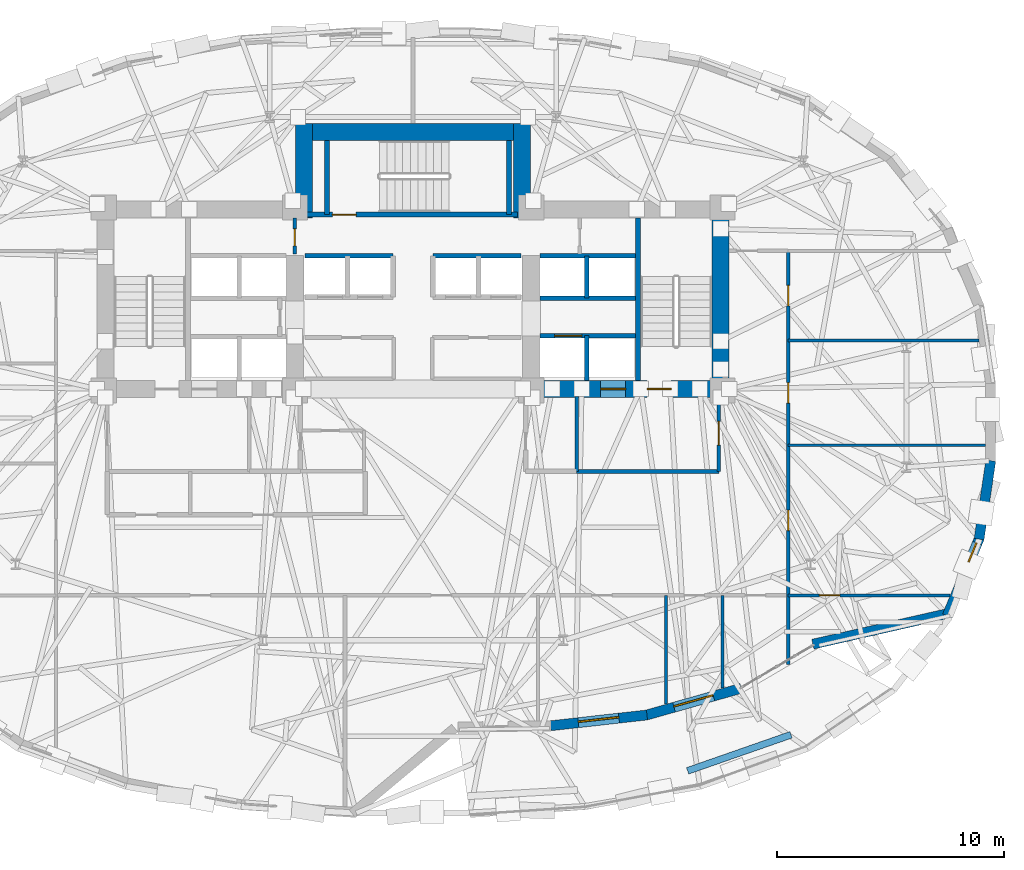
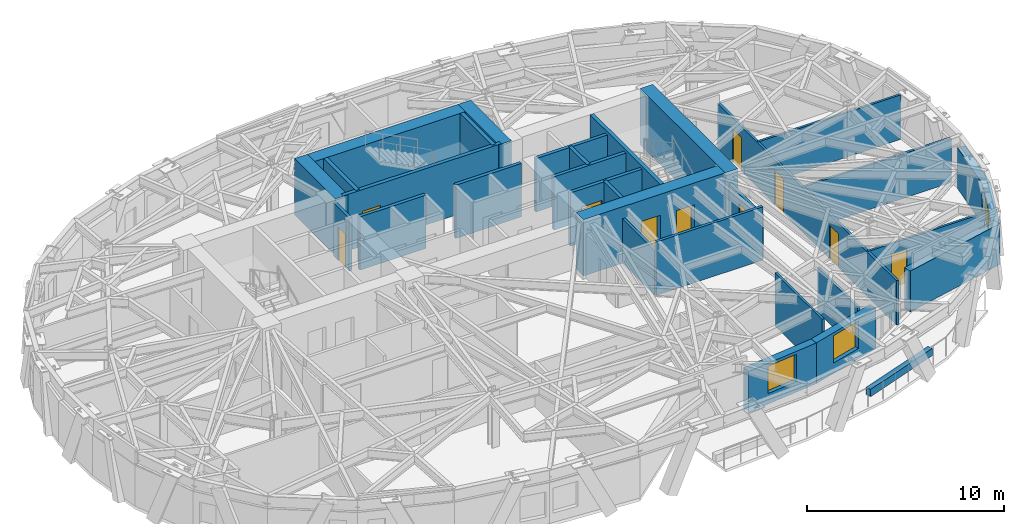
# One storey, part 9 of 14: 32 walls, 10 doors, 3 windows, 13 openings.
"""IFC4 building model written with IfcOpenShell, lengths in metres."""

from ifc_helpers import new_model, si_unit, direction, frame, frame_2d, origin, place, context, subcontext, project, spatial, rectangle, extrude, material, layer, layer_set, type_object, element, fill, save


model = new_model("IFC4")

# Units and contexts
model_context = context("Model", 3, precision=1e-05, world=origin(), true_north=direction((0.0, 1.0)))
body_context = subcontext(model_context, "Body", "Model", "MODEL_VIEW")
ifc_project = project(units=[si_unit("LENGTHUNIT", "METRE"), si_unit("AREAUNIT", "SQUARE_METRE"), si_unit("VOLUMEUNIT", "CUBIC_METRE"), si_unit("PLANEANGLEUNIT", "RADIAN"), si_unit("MASSUNIT", "GRAM", prefix="KILO")], contexts=[model_context])

# Site, building, storey
site_placement = place(None, origin())
site = spatial("IfcSite", under=ifc_project, at=site_placement, CompositionType="ELEMENT")
building_placement = place(site_placement, origin())
building = spatial("IfcBuilding", under=site, at=building_placement, Name="Keldmark Tower", CompositionType="ELEMENT")
storey_placement = place(building_placement, frame((0.0, 0.0, 128.10009765625)))
storey = spatial("IfcBuildingStorey", under=building, at=storey_placement, Name="L34", CompositionType="ELEMENT", Elevation=128.10009765625)

# Wall, openings, doors
ifc_material_1 = material(Name="Acoustic Double-Layer Gypsum Corridor Partition", Category="gypsum")
ifc_layer_1 = layer(ifc_material_1, 0.139892578125)
ifc_layer_set_1 = layer_set([ifc_layer_1], Name="Acoustic Double-Layer Gypsum Corridor Partition")
wall_type_1 = type_object("IfcWallType", Name="Acoustic Corridor Partition 140 mm", PredefinedType="PARTITIONING", material=ifc_layer_set_1)
wall_1_placement = place(storey_placement, frame((16.5, -10.6328125, 0.0), z_axis=(0.0, 0.0, 1.0), x_axis=(0.0, 1.0, 0.0)))
wall_1 = element("IfcWall", 1, at=wall_1_placement, inside=storey, type_object=wall_type_1, Name="L34 Acoustic Corridor Partition 140 mm COR-E", PredefinedType="PARTITIONING", context=body_context, shape_type="SweptSolid", body=[
    extrude(rectangle(XDim=18.182861328125, YDim=0.139892578125, at=frame_2d((9.09130859375, 0.0))), origin(), (0.0, 0.0, 1.0), 2.762939453125),
])
opening_1_placement = place(wall_1_placement, frame((5.883056640625, 0.0, 0.0)))
opening_1 = element("IfcOpeningElement", 2, at=opening_1_placement, cuts=wall_1, Name="Opening D-IN090", PredefinedType="OPENING", context=body_context, shape_type="SweptSolid", body=[
    extrude(rectangle(XDim=0.89990234375, YDim=2.10009765625, at=frame_2d((0.449951171875, 1.050048828125))), frame((0.0, 0.079833984375, 0.0), z_axis=(0.0, -1.0, 0.0), x_axis=(1.0, 0.0, 0.0)), (0.0, 0.0, 1.0), 0.159912109375),
])
opening_2_placement = place(wall_1_placement, frame((11.48291015625, 0.0, 0.0)))
opening_2 = element("IfcOpeningElement", 3, at=opening_2_placement, cuts=wall_1, Name="Opening D-IN090", PredefinedType="OPENING", context=body_context, shape_type="SweptSolid", body=[
    extrude(rectangle(XDim=0.89990234375, YDim=2.10009765625, at=frame_2d((0.449951171875, 1.050048828125))), frame((0.0, 0.079833984375, 0.0), z_axis=(0.0, -1.0, 0.0), x_axis=(1.0, 0.0, 0.0)), (0.0, 0.0, 1.0), 0.159912109375),
])
opening_3_placement = place(wall_1_placement, frame((15.758056640625, 0.0, 0.0)))
opening_3 = element("IfcOpeningElement", 4, at=opening_3_placement, cuts=wall_1, Name="Opening D-IN090", PredefinedType="OPENING", context=body_context, shape_type="SweptSolid", body=[
    extrude(rectangle(XDim=0.89990234375, YDim=2.10009765625, at=frame_2d((0.449951171875, 1.050048828125))), frame((0.0, 0.079833984375, 0.0), z_axis=(0.0, -1.0, 0.0), x_axis=(1.0, 0.0, 0.0)), (0.0, 0.0, 1.0), 0.159912109375),
])
ifc_material_2 = material(Name="Stained American White Oak Veneer", Category="wood")
door_type_1 = type_object("IfcDoorType", Name="Interior Door 900x2100", OperationType="NOTDEFINED", PredefinedType="DOOR", material=ifc_material_2)
door_1_placement = place(opening_1_placement, origin())
door_1 = element("IfcDoor", 5, at=door_1_placement, inside=storey, type_object=door_type_1, Name="L34 Interior Door 900x2100 D-ER-1-L34", OperationType="SINGLE_SWING_RIGHT", OverallHeight=2.10009765625, OverallWidth=0.89990234375, PredefinedType="DOOR", context=body_context, shape_type="SweptSolid", body=[
    extrude(rectangle(XDim=0.89990234375, YDim=2.10009765625, at=frame_2d((0.449951171875, 1.050048828125))), frame((0.0, 0.02490234375, 0.0), z_axis=(0.0, -1.0, 0.0), x_axis=(1.0, 0.0, 0.0)), (0.0, 0.0, 1.0), 0.050048828125),
])
fill(opening_1, door_1)
door_2_placement = place(opening_2_placement, origin())
door_2 = element("IfcDoor", 6, at=door_2_placement, inside=storey, type_object=door_type_1, Name="L34 Interior Door 900x2100 D-ER-2-L34", OperationType="SINGLE_SWING_LEFT", OverallHeight=2.10009765625, OverallWidth=0.89990234375, PredefinedType="DOOR", context=body_context, shape_type="SweptSolid", body=[
    extrude(rectangle(XDim=0.89990234375, YDim=2.10009765625, at=frame_2d((0.449951171875, 1.050048828125))), frame((0.0, 0.02490234375, 0.0), z_axis=(0.0, -1.0, 0.0), x_axis=(1.0, 0.0, 0.0)), (0.0, 0.0, 1.0), 0.050048828125),
])
fill(opening_2, door_2)
door_3_placement = place(opening_3_placement, origin())
door_3 = element("IfcDoor", 7, at=door_3_placement, inside=storey, type_object=door_type_1, Name="L34 Interior Door 900x2100 D-ER-3-L34", OperationType="SINGLE_SWING_RIGHT", OverallHeight=2.10009765625, OverallWidth=0.89990234375, PredefinedType="DOOR", context=body_context, shape_type="SweptSolid", body=[
    extrude(rectangle(XDim=0.89990234375, YDim=2.10009765625, at=frame_2d((0.449951171875, 1.050048828125))), frame((0.0, 0.02490234375, 0.0), z_axis=(0.0, -1.0, 0.0), x_axis=(1.0, 0.0, 0.0)), (0.0, 0.0, 1.0), 0.050048828125),
])
fill(opening_3, door_3)

# Walls
ifc_material_3 = material(Name="Acoustic Gypsum Board Interior Partition", Category="gypsum")
ifc_layer_2 = layer(ifc_material_3, 0.1298828125)
ifc_layer_set_2 = layer_set([ifc_layer_2], Name="Acoustic Gypsum Board Interior Partition")
wall_type_2 = type_object("IfcWallType", Name="Interior Partition 130 mm", PredefinedType="PARTITIONING", material=ifc_layer_set_2)
wall_2_placement = place(storey_placement, frame((11.118896484375, -12.38720703125, 0.0), z_axis=(0.0, 0.0, 1.0), x_axis=(0.0, 1.0, 0.0)))
element("IfcWall", 8, at=wall_2_placement, inside=storey, type_object=wall_type_2, Name="L34 Interior Partition 130 mm S-DIV-3", PredefinedType="PARTITIONING", context=body_context, shape_type="SweptSolid", body=[
    extrude(rectangle(XDim=4.787109375, YDim=0.1298828125, at=frame_2d((2.3935546875, 0.0))), origin(), (0.0, 0.0, 1.0), 3.309814453125),
])
wall_3_placement = place(storey_placement, frame((13.618896484375, -11.680419921875, 0.0), z_axis=(0.0, 0.0, 1.0), x_axis=(0.0, 1.0, 0.0)))
element("IfcWall", 9, at=wall_3_placement, inside=storey, type_object=wall_type_2, Name="L34 Interior Partition 130 mm S-DIV-4", PredefinedType="PARTITIONING", context=body_context, shape_type="SweptSolid", body=[
    extrude(rectangle(XDim=4.080322265625, YDim=0.1298828125, at=frame_2d((2.0400390625, 0.0))), origin(), (0.0, 0.0, 1.0), 2.762939453125),
])

# Wall, opening, door
wall_4_placement = place(storey_placement, frame((16.5, -7.60009765625, 0.0), z_axis=(0.0, 0.0, 1.0), x_axis=(1.0, 0.0, 0.0)))
wall_4 = element("IfcWall", 10, at=wall_4_placement, inside=storey, type_object=wall_type_2, Name="L34 Interior Partition 130 mm E-CAP-S", PredefinedType="PARTITIONING", context=body_context, shape_type="SweptSolid", body=[
    extrude(rectangle(XDim=7.117919921875, YDim=0.1298828125, at=frame_2d((3.55908203125, 0.0))), origin(), (0.0, 0.0, 1.0), 2.762939453125),
])
opening_4_placement = place(wall_4_placement, frame((1.3701171875, 0.0, 0.0)))
opening_4 = element("IfcOpeningElement", 11, at=opening_4_placement, cuts=wall_4, Name="Opening D-IN090", PredefinedType="OPENING", context=body_context, shape_type="SweptSolid", body=[
    extrude(rectangle(XDim=0.89990234375, YDim=2.10009765625, at=frame_2d((0.449951171875, 1.050048828125))), frame((0.0, 0.074951171875, 0.0), z_axis=(0.0, -1.0, 0.0), x_axis=(1.0, 0.0, 0.0)), (0.0, 0.0, 1.0), 0.14990234375),
])
door_4_placement = place(opening_4_placement, origin())
door_4 = element("IfcDoor", 12, at=door_4_placement, inside=storey, type_object=door_type_1, Name="L34 Interior Door 900x2100 D-ERSE-L34", OperationType="SINGLE_SWING_RIGHT", OverallHeight=2.10009765625, OverallWidth=0.89990234375, PredefinedType="DOOR", context=body_context, shape_type="SweptSolid", body=[
    extrude(rectangle(XDim=0.89990234375, YDim=2.10009765625, at=frame_2d((0.449951171875, 1.050048828125))), frame((0.0, 0.02490234375, 0.0), z_axis=(0.0, -1.0, 0.0), x_axis=(1.0, 0.0, 0.0)), (0.0, 0.0, 1.0), 0.050048828125),
])
fill(opening_4, door_4)

# Walls
wall_5_placement = place(storey_placement, frame((16.5, -1.0, 0.0), z_axis=(0.0, 0.0, 1.0), x_axis=(1.0, 0.0, 0.0)))
element("IfcWall", 13, at=wall_5_placement, inside=storey, type_object=wall_type_2, Name="L34 Interior Partition 130 mm E-DIV-1", PredefinedType="PARTITIONING", context=body_context, shape_type="SweptSolid", body=[
    extrude(rectangle(XDim=8.678466796875, YDim=0.1298828125, at=frame_2d((4.33935546875, 0.0))), origin(), (0.0, 0.0, 1.0), 2.762939453125),
])
wall_6_placement = place(storey_placement, frame((16.5, 3.60009765625, 0.0), z_axis=(0.0, 0.0, 1.0), x_axis=(1.0, 0.0, 0.0)))
element("IfcWall", 14, at=wall_6_placement, inside=storey, type_object=wall_type_2, Name="L34 Interior Partition 130 mm E-DIV-2", PredefinedType="PARTITIONING", context=body_context, shape_type="SweptSolid", body=[
    extrude(rectangle(XDim=8.3916015625, YDim=0.1298828125, at=frame_2d((4.19580078125, 0.0))), origin(), (0.0, 0.0, 1.0), 2.762939453125),
])
ifc_material_4 = material(Name="Concrete C70/85", Category="concrete")
ifc_layer_3 = layer(ifc_material_4, 0.75)
ifc_layer_set_3 = layer_set([ifc_layer_3], Name="Concrete C70/85")
wall_type_3 = type_object("IfcWallType", Name="Low-Mid Core Shear Wall 750 mm", PredefinedType="SHEAR", material=ifc_layer_set_3)
wall_7_placement = place(storey_placement, frame((13.52490234375, 1.10009765625, 0.0), z_axis=(0.0, 0.0, 1.0), x_axis=(0.0, 1.0, 0.0)))
element("IfcWall", 15, at=wall_7_placement, inside=storey, type_object=wall_type_3, Name="L34 East Core Outer Shear Wall", PredefinedType="SHEAR", context=body_context, shape_type="SweptSolid", body=[
    extrude(rectangle(XDim=8.64990234375, YDim=0.75, at=frame_2d((4.324951171875, 0.0))), origin(), (0.0, 0.0, 1.0), 3.5),
])

# Wall, openings, doors
wall_8_placement = place(storey_placement, frame((13.89990234375, 1.47509765625, 0.0), z_axis=(0.0, 0.0, 1.0), x_axis=(-1.0, 0.0, 0.0)))
wall_8 = element("IfcWall", 16, at=wall_8_placement, inside=storey, type_object=wall_type_3, Name="L34 East Core South Shear Wall", PredefinedType="SHEAR", context=body_context, shape_type="SweptSolid", body=[
    extrude(rectangle(XDim=9.074951171875, YDim=0.75, at=frame_2d((4.53759765625, 0.0))), origin(), (0.0, 0.0, 1.0), 3.5),
])
opening_5_placement = place(wall_8_placement, frame((2.550048828125, 0.0, 0.0)))
opening_5 = element("IfcOpeningElement", 17, at=opening_5_placement, cuts=wall_8, Name="Opening D-ST105", PredefinedType="OPENING", context=body_context, shape_type="SweptSolid", body=[
    extrude(rectangle(XDim=1.050048828125, YDim=2.14990234375, at=frame_2d((0.52490234375, 1.074951171875))), frame((0.0, 0.385009765625, 0.0), z_axis=(0.0, -1.0, 0.0), x_axis=(1.0, 0.0, 0.0)), (0.0, 0.0, 1.0), 0.77001953125),
])
opening_6_placement = place(wall_8_placement, frame((4.550048828125, 0.0, 0.0)))
opening_6 = element("IfcOpeningElement", 18, at=opening_6_placement, cuts=wall_8, Name="Opening LD-110", PredefinedType="OPENING", context=body_context, shape_type="SweptSolid", body=[
    extrude(rectangle(XDim=1.10009765625, YDim=2.199951171875, at=frame_2d((0.550048828125, 1.10009765625))), frame((0.0, 0.385009765625, 0.0), z_axis=(0.0, -1.0, 0.0), x_axis=(1.0, 0.0, 0.0)), (0.0, 0.0, 1.0), 0.77001953125),
])
ifc_material_5 = material(Name="Brushed Bronze Hoistway Sliding Leaf", Category="metal")
door_type_2 = type_object("IfcDoorType", Name="Lift Landing Sliding Door 1100x2200", OperationType="SLIDING_TO_LEFT", PredefinedType="DOOR", material=ifc_material_5)
door_5_placement = place(opening_6_placement, origin())
door_5 = element("IfcDoor", 19, at=door_5_placement, inside=storey, type_object=door_type_2, Name="L34 Lift Landing Sliding Door 1100x2200 LD-EL-FS2-L34", OperationType="SLIDING_TO_LEFT", OverallHeight=2.199951171875, OverallWidth=1.10009765625, PredefinedType="DOOR", context=body_context, shape_type="SweptSolid", body=[
    extrude(rectangle(XDim=1.10009765625, YDim=2.199951171875, at=frame_2d((0.550048828125, 1.10009765625))), frame((0.0, 0.02490234375, 0.0), z_axis=(0.0, -1.0, 0.0), x_axis=(1.0, 0.0, 0.0)), (0.0, 0.0, 1.0), 0.050048828125),
])
fill(opening_6, door_5)
ifc_material_6 = material(Name="Hollow Metal Fire-Rated Door Assembly", Category="metal")
door_type_3 = type_object("IfcDoorType", Name="Stair Fire Door 1050x2150", OperationType="NOTDEFINED", PredefinedType="DOOR", material=ifc_material_6)
door_6_placement = place(opening_5_placement, origin())
door_6 = element("IfcDoor", 20, at=door_6_placement, inside=storey, type_object=door_type_3, Name="L34 Stair Fire Door 1050x2150 D-ST2-L34", OperationType="SINGLE_SWING_LEFT", OverallHeight=2.14990234375, OverallWidth=1.050048828125, PredefinedType="DOOR", context=body_context, shape_type="SweptSolid", body=[
    extrude(rectangle(XDim=1.050048828125, YDim=2.14990234375, at=frame_2d((0.52490234375, 1.074951171875))), frame((0.0, 0.02490234375, 0.0), z_axis=(0.0, -1.0, 0.0), x_axis=(1.0, 0.0, 0.0)), (0.0, 0.0, 1.0), 0.050048828125),
])
fill(opening_5, door_6)

# Walls
wall_9_placement = place(storey_placement, frame((-5.175048828125, 12.77490234375, 0.0), z_axis=(0.0, 0.0, 1.0), x_axis=(1.0, 0.0, 0.0)))
element("IfcWall", 21, at=wall_9_placement, inside=storey, type_object=wall_type_3, Name="L34 North Core Shear Wall", PredefinedType="SHEAR", context=body_context, shape_type="SweptSolid", body=[
    extrude(rectangle(XDim=10.35009765625, YDim=0.75, at=frame_2d((5.175048828125, 0.0))), origin(), (0.0, 0.0, 1.0), 3.5),
])
for number, where, z_axis, x_axis, name in (
    (22, (-4.800048828125, 9.0, 0.0), (0.0, 0.0, 1.0), (0.0, 1.0, 0.0), "L34 North Core West Shear Wall"),
    (23, (4.800048828125, 9.0, 0.0), (0.0, 0.0, 1.0), (0.0, 1.0, 0.0), "L34 North Core East Shear Wall"),
):
    element("IfcWall", number, at=place(storey_placement, frame(where, z_axis=z_axis, x_axis=x_axis)), inside=storey, type_object=wall_type_3, Name=name, PredefinedType="SHEAR", context=body_context, shape_type="SweptSolid", body=[
        extrude(rectangle(XDim=4.14990234375, YDim=0.75, at=frame_2d((2.074951171875, 0.0))), origin(), (0.0, 0.0, 1.0), 3.5),
    ])
ifc_material_7 = material(Name="Type X Fire-Rated Gypsum Partition Assembly", Category="gypsum")
ifc_layer_4 = layer(ifc_material_7, 0.1650390625)
ifc_layer_set_4 = layer_set([ifc_layer_4], Name="Type X Fire-Rated Gypsum Partition Assembly")
wall_type_4 = type_object("IfcWallType", Name="Rated Partition 165 mm", PredefinedType="PARTITIONING", material=ifc_layer_set_4)
wall_10_placement = place(storey_placement, frame((7.199951171875, -2.14990234375, 0.0), z_axis=(0.0, 0.0, 1.0), x_axis=(1.0, 0.0, 0.0)))
element("IfcWall", 24, at=wall_10_placement, inside=storey, type_object=wall_type_4, Name="L34 Rated Partition 165 mm FSAE-E-S", PredefinedType="PARTITIONING", context=body_context, shape_type="SweptSolid", body=[
    extrude(rectangle(XDim=6.25, YDim=0.1650390625, at=frame_2d((3.125, 0.0))), origin(), (0.0, 0.0, 1.0), 3.309814453125),
])
wall_11_placement = place(storey_placement, frame((7.199951171875, -2.14990234375, 0.0), z_axis=(0.0, 0.0, 1.0), x_axis=(0.0, 1.0, 0.0)))
element("IfcWall", 25, at=wall_11_placement, inside=storey, type_object=wall_type_4, Name="L34 Rated Partition 165 mm FSAE-E-W", PredefinedType="PARTITIONING", context=body_context, shape_type="SweptSolid", body=[
    extrude(rectangle(XDim=3.2998046875, YDim=0.1650390625, at=frame_2d((1.64990234375, 0.0))), origin(), (0.0, 0.0, 1.0), 2.762939453125),
])

# Wall, opening, door
wall_12_placement = place(storey_placement, frame((13.449951171875, -2.14990234375, 0.0), z_axis=(0.0, 0.0, 1.0), x_axis=(0.0, 1.0, 0.0)))
wall_12 = element("IfcWall", 26, at=wall_12_placement, inside=storey, type_object=wall_type_4, Name="L34 Rated Partition 165 mm FSAE-E-E", PredefinedType="PARTITIONING", context=body_context, shape_type="SweptSolid", body=[
    extrude(rectangle(XDim=3.2998046875, YDim=0.1650390625, at=frame_2d((1.64990234375, 0.0))), origin(), (0.0, 0.0, 1.0), 2.762939453125),
])
opening_7_placement = place(wall_12_placement, frame((1.14990234375, 0.0, 0.0)))
opening_7 = element("IfcOpeningElement", 27, at=opening_7_placement, cuts=wall_12, Name="Opening D-FL105", PredefinedType="OPENING", context=body_context, shape_type="SweptSolid", body=[
    extrude(rectangle(XDim=1.050048828125, YDim=2.14990234375, at=frame_2d((0.52490234375, 1.074951171875))), frame((0.0, 0.092529296875, 0.0), z_axis=(0.0, -1.0, 0.0), x_axis=(1.0, 0.0, 0.0)), (0.0, 0.0, 1.0), 0.18505859375),
])
ifc_material_8 = material(Name="Fire-Rated Mineral-Core Door and Vision Lite", Category="metal")
door_type_4 = type_object("IfcDoorType", Name="Fire Lobby Door 1050x2150", OperationType="NOTDEFINED", PredefinedType="DOOR", material=ifc_material_8)
door_7_placement = place(opening_7_placement, origin())
door_7 = element("IfcDoor", 28, at=door_7_placement, inside=storey, type_object=door_type_4, Name="L34 Fire Lobby Door 1050x2150 D-FSAEE-OUT-L34", OperationType="SINGLE_SWING_LEFT", OverallHeight=2.14990234375, OverallWidth=1.050048828125, PredefinedType="DOOR", context=body_context, shape_type="SweptSolid", body=[
    extrude(rectangle(XDim=1.050048828125, YDim=2.14990234375, at=frame_2d((0.52490234375, 1.074951171875))), frame((0.0, 0.02490234375, 0.0), z_axis=(0.0, -1.0, 0.0), x_axis=(1.0, 0.0, 0.0)), (0.0, 0.0, 1.0), 0.050048828125),
])
fill(opening_7, door_7)

wall_13_placement = place(storey_placement, frame((-5.199951171875, 7.419921875, 0.0), z_axis=(0.0, 0.0, 1.0), x_axis=(0.0, 1.0, 0.0)))
wall_13 = element("IfcWall", 29, at=wall_13_placement, inside=storey, type_object=wall_type_4, Name="L34 Rated Partition 165 mm CS-NW-E", PredefinedType="PARTITIONING", context=body_context, shape_type="SweptSolid", body=[
    extrude(rectangle(XDim=1.580078125, YDim=0.1650390625, at=frame_2d((0.7900390625, 0.0))), origin(), (0.0, 0.0, 1.0), 3.309814453125),
])
opening_8_placement = place(wall_13_placement, frame((0.35009765625, 0.0, 0.0)))
opening_8 = element("IfcOpeningElement", 30, at=opening_8_placement, cuts=wall_13, Name="Opening D-RS075", PredefinedType="OPENING", context=body_context, shape_type="SweptSolid", body=[
    extrude(rectangle(XDim=0.75, YDim=2.10009765625, at=frame_2d((0.375, 1.050048828125))), frame((0.0, 0.092529296875, 0.0), z_axis=(0.0, -1.0, 0.0), x_axis=(1.0, 0.0, 0.0)), (0.0, 0.0, 1.0), 0.18505859375),
])
ifc_material_9 = material(Name="Galvanized Fire-Rated Access Leaf", Category="metal")
door_type_5 = type_object("IfcDoorType", Name="Riser Access Door 750x2100", OperationType="NOTDEFINED", PredefinedType="DOOR", material=ifc_material_9)
door_8_placement = place(opening_8_placement, origin())
door_8 = element("IfcDoor", 31, at=door_8_placement, inside=storey, type_object=door_type_5, Name="L34 Riser Access Door 750x2100 D-CSNW1-L34", OperationType="SINGLE_SWING_LEFT", OverallHeight=2.10009765625, OverallWidth=0.75, PredefinedType="DOOR", context=body_context, shape_type="SweptSolid", body=[
    extrude(rectangle(XDim=0.75, YDim=2.10009765625, at=frame_2d((0.375, 1.050048828125))), frame((0.0, 0.02490234375, 0.0), z_axis=(0.0, -1.0, 0.0), x_axis=(1.0, 0.0, 0.0)), (0.0, 0.0, 1.0), 0.050048828125),
])
fill(opening_8, door_8)

ifc_material_10 = material(Name="Fire-Resistant Type X Gypsum Shaftliner Coreboard", Category="gypsum")
ifc_layer_5 = layer(ifc_material_10, 0.199951171875)
ifc_layer_set_5 = layer_set([ifc_layer_5], Name="Fire-Resistant Type X Gypsum Shaftliner Coreboard")
wall_type_5 = type_object("IfcWallType", Name="Shaft Wall 200 mm", PredefinedType="SOLIDWALL", material=ifc_layer_set_5)
wall_14_placement = place(storey_placement, frame((5.574951171875, 3.820068359375, 0.0), z_axis=(0.0, 0.0, 1.0), x_axis=(1.0, 0.0, 0.0)))
wall_14 = element("IfcWall", 32, at=wall_14_placement, inside=storey, type_object=wall_type_5, Name="L34 Shaft Wall 200 mm HW-E-S", PredefinedType="SOLIDWALL", context=body_context, shape_type="SweptSolid", body=[
    extrude(rectangle(XDim=4.205078125, YDim=0.199951171875, at=frame_2d((2.1025390625, 0.0))), origin(), (0.0, 0.0, 1.0), 3.309814453125),
])
opening_9_placement = place(wall_14_placement, frame((0.64990234375, 0.0, 0.0)))
opening_9 = element("IfcOpeningElement", 33, at=opening_9_placement, cuts=wall_14, Name="Opening LD-120", PredefinedType="OPENING", context=body_context, shape_type="SweptSolid", body=[
    extrude(rectangle(XDim=1.199951171875, YDim=2.199951171875, at=frame_2d((0.60009765625, 1.10009765625))), frame((0.0, 0.10986328125, 0.0), z_axis=(0.0, -1.0, 0.0), x_axis=(1.0, 0.0, 0.0)), (0.0, 0.0, 1.0), 0.219970703125),
])
ifc_material_11 = material(Name="Heavy-Duty Brushed Metal Hoistway Sliding Leaf", Category="metal")
door_type_6 = type_object("IfcDoorType", Name="Service Lift Sliding Door 1200x2200", OperationType="SLIDING_TO_RIGHT", PredefinedType="DOOR", material=ifc_material_11)
door_9_placement = place(opening_9_placement, origin())
door_9 = element("IfcDoor", 34, at=door_9_placement, inside=storey, type_object=door_type_6, Name="L34 Service Lift Sliding Door 1200x2200 LD-EL-SV1-L34", OperationType="SLIDING_TO_RIGHT", OverallHeight=2.199951171875, OverallWidth=1.199951171875, PredefinedType="DOOR", context=body_context, shape_type="SweptSolid", body=[
    extrude(rectangle(XDim=1.199951171875, YDim=2.199951171875, at=frame_2d((0.60009765625, 1.10009765625))), frame((0.0, 0.02490234375, 0.0), z_axis=(0.0, -1.0, 0.0), x_axis=(1.0, 0.0, 0.0)), (0.0, 0.0, 1.0), 0.050048828125),
])
fill(opening_9, door_9)

# Walls
wall_15_placement = place(storey_placement, frame((7.64990234375, 1.85009765625, 0.0), z_axis=(0.0, 0.0, 1.0), x_axis=(0.0, 1.0, 0.0)))
element("IfcWall", 35, at=wall_15_placement, inside=storey, type_object=wall_type_5, Name="L34 Shaft Wall 200 mm HW-E-M", PredefinedType="SOLIDWALL", context=body_context, shape_type="SweptSolid", body=[
    extrude(rectangle(XDim=1.969970703125, YDim=0.199951171875, at=frame_2d((0.98486328125, 0.0))), origin(), (0.0, 0.0, 1.0), 3.309814453125),
])
for number, where, z_axis, x_axis, name in (
    (36, (5.574951171875, 5.469970703125, 0.0), (0.0, 0.0, 1.0), (1.0, 0.0, 0.0), "L34 Shaft Wall 200 mm HW-E-N"),
    (37, (5.574951171875, 7.330078125, 0.0), (0.0, 0.0, 1.0), (1.0, 0.0, 0.0), "L34 Shaft Wall 200 mm HW-E-TOP"),
):
    element("IfcWall", number, at=place(storey_placement, frame(where, z_axis=z_axis, x_axis=x_axis)), inside=storey, type_object=wall_type_5, Name=name, PredefinedType="SOLIDWALL", context=body_context, shape_type="SweptSolid", body=[
        extrude(rectangle(XDim=4.205078125, YDim=0.199951171875, at=frame_2d((2.1025390625, 0.0))), origin(), (0.0, 0.0, 1.0), 3.309814453125),
    ])
wall_16_placement = place(storey_placement, frame((7.64990234375, 5.469970703125, 0.0), z_axis=(0.0, 0.0, 1.0), x_axis=(0.0, 1.0, 0.0)))
element("IfcWall", 38, at=wall_16_placement, inside=storey, type_object=wall_type_5, Name="L34 Shaft Wall 200 mm HW-E-NM", PredefinedType="SOLIDWALL", context=body_context, shape_type="SweptSolid", body=[
    extrude(rectangle(XDim=1.860107421875, YDim=0.199951171875, at=frame_2d((0.93017578125, 0.0))), origin(), (0.0, 0.0, 1.0), 3.309814453125),
])
for number, where, z_axis, x_axis, name in (
    (39, (-4.739990234375, 7.330078125, 0.0), (0.0, 0.0, 1.0), (1.0, 0.0, 0.0), "L34 Shaft Wall 200 mm MID-N-W"),
    (40, (0.8798828125, 7.330078125, 0.0), (0.0, 0.0, 1.0), (1.0, 0.0, 0.0), "L34 Shaft Wall 200 mm MID-N-E"),
):
    element("IfcWall", number, at=place(storey_placement, frame(where, z_axis=z_axis, x_axis=x_axis)), inside=storey, type_object=wall_type_5, Name=name, PredefinedType="SOLIDWALL", context=body_context, shape_type="SweptSolid", body=[
        extrude(rectangle(XDim=3.860107421875, YDim=0.199951171875, at=frame_2d((1.93017578125, 0.0))), origin(), (0.0, 0.0, 1.0), 3.309814453125),
    ])
ifc_material_12 = material(Name="Concrete C50/60", Category="concrete")
ifc_layer_6 = layer(ifc_material_12, 0.219970703125)
ifc_layer_set_6 = layer_set([ifc_layer_6], Name="Concrete C50/60")
wall_type_6 = type_object("IfcWallType", Name="Stair Core Shear Wall 220 mm", PredefinedType="SHEAR", material=ifc_layer_set_6)
wall_17_placement = place(storey_placement, frame((9.889892578125, 1.85009765625, 0.0), z_axis=(0.0, 0.0, 1.0), x_axis=(0.0, 1.0, 0.0)))
element("IfcWall", 41, at=wall_17_placement, inside=storey, type_object=wall_type_6, Name="L34 East Stair Core Shear Wall", PredefinedType="SHEAR", context=body_context, shape_type="SweptSolid", body=[
    extrude(rectangle(XDim=7.14990234375, YDim=0.219970703125, at=frame_2d((3.574951171875, 0.0))), origin(), (0.0, 0.0, 1.0), 3.5),
])

# Wall, opening, door
wall_18_placement = place(storey_placement, frame((-4.699951171875, 9.139892578125, 0.0), z_axis=(0.0, 0.0, 1.0), x_axis=(1.0, 0.0, 0.0)))
wall_18 = element("IfcWall", 42, at=wall_18_placement, inside=storey, type_object=wall_type_6, Name="L34 Central Stair Core South Shear Wall", PredefinedType="SHEAR", context=body_context, shape_type="SweptSolid", body=[
    extrude(rectangle(XDim=9.300048828125, YDim=0.219970703125, at=frame_2d((4.64990234375, 0.0))), origin(), (0.0, 0.0, 1.0), 3.5),
])
opening_10_placement = place(wall_18_placement, frame((1.14990234375, 0.0, 0.0)))
opening_10 = element("IfcOpeningElement", 43, at=opening_10_placement, cuts=wall_18, Name="Opening D-ST105", PredefinedType="OPENING", context=body_context, shape_type="SweptSolid", body=[
    extrude(rectangle(XDim=1.050048828125, YDim=2.14990234375, at=frame_2d((0.52490234375, 1.074951171875))), frame((0.0, 0.119873046875, 0.0), z_axis=(0.0, -1.0, 0.0), x_axis=(1.0, 0.0, 0.0)), (0.0, 0.0, 1.0), 0.239990234375),
])
door_10_placement = place(opening_10_placement, origin())
door_10 = element("IfcDoor", 44, at=door_10_placement, inside=storey, type_object=door_type_3, Name="L34 Stair Fire Door 1050x2150 D-ST3-L34", OperationType="SINGLE_SWING_RIGHT", OverallHeight=2.14990234375, OverallWidth=1.050048828125, PredefinedType="DOOR", context=body_context, shape_type="SweptSolid", body=[
    extrude(rectangle(XDim=1.050048828125, YDim=2.14990234375, at=frame_2d((0.52490234375, 1.074951171875))), frame((0.0, 0.02490234375, 0.0), z_axis=(0.0, -1.0, 0.0), x_axis=(1.0, 0.0, 0.0)), (0.0, 0.0, 1.0), 0.050048828125),
])
fill(opening_10, door_10)

# Walls
for number, where, z_axis, x_axis, name in (
    (45, (-3.784912109375, 9.139892578125, 0.0), (0.0, 0.0, 1.0), (0.0, 1.0, 0.0), "L34 Central Stair Core West Shear Wall"),
    (46, (4.215087890625, 9.139892578125, 0.0), (0.0, 0.0, 1.0), (0.0, 1.0, 0.0), "L34 Central Stair Core East Shear Wall"),
):
    element("IfcWall", number, at=place(storey_placement, frame(where, z_axis=z_axis, x_axis=x_axis)), inside=storey, type_object=wall_type_6, Name=name, PredefinedType="SHEAR", context=body_context, shape_type="SweptSolid", body=[
        extrude(rectangle(XDim=3.260009765625, YDim=0.219970703125, at=frame_2d((1.6298828125, 0.0))), origin(), (0.0, 0.0, 1.0), 3.5),
    ])
ifc_material_13 = material(Name="Ironspot Manganese Brick Planter Masonry", Category="masonry")
ifc_layer_7 = layer(ifc_material_13, 0.300048828125)
ifc_layer_set_7 = layer_set([ifc_layer_7], Name="Ironspot Manganese Brick Planter Masonry")
wall_type_7 = type_object("IfcWallType", Name="Terrace Brick Planter Kerb Wall 300 mm", PredefinedType="PARAPET", material=ifc_layer_set_7)
wall_19_placement = place(storey_placement, frame((12.076904296875, -15.319091796875, 0.0), z_axis=(0.0, 0.0, 1.0), x_axis=(0.944174140156, 0.329446798528, 0.0)))
element("IfcWall", 47, at=wall_19_placement, inside=storey, type_object=wall_type_7, Name="L34 Sky Garden Planter 03", PredefinedType="PARAPET", context=body_context, shape_type="SweptSolid", body=[
    extrude(rectangle(XDim=4.814697265625, YDim=0.300048828125, at=frame_2d((2.4072265625, 0.0))), origin(), (0.0, 0.0, 1.0), 0.449951171875),
])

# Wall, opening, window
ifc_material_14 = material(Name="Ironspot Manganese Brick and Kasota Buff Limestone Spandrel Assembly", Category="masonry")
ifc_layer_8 = layer(ifc_material_14, 0.43994140625)
ifc_layer_set_8 = layer_set([ifc_layer_8], Name="Ironspot Manganese Brick and Kasota Buff Limestone Spandrel Assembly")
wall_type_8 = type_object("IfcWallType", Name="Tower Brick Pier and Spandrel Wall 440 mm", PredefinedType="STANDARD", material=ifc_layer_set_8)
wall_20_placement = place(storey_placement, frame((10.287841796875, -12.8623046875, 0.0), z_axis=(0.0, 0.0, 1.0), x_axis=(-0.99378159324, -0.111346957472, 0.0)))
wall_20 = element("IfcWall", 48, at=wall_20_placement, inside=storey, type_object=wall_type_8, Name="L34 Exterior Brick and Spandrel Wall 26", PredefinedType="STANDARD", context=body_context, shape_type="SweptSolid", body=[
    extrude(rectangle(XDim=4.2734375, YDim=0.43994140625, at=frame_2d((2.13671875, 0.0))), origin(), (0.0, 0.0, 1.0), 2.531982421875),
])
opening_11_placement = place(wall_20_placement, frame((1.23681640625, 0.0, 0.64990234375)))
opening_11 = element("IfcOpeningElement", 49, at=opening_11_placement, cuts=wall_20, Name="Opening W-02", PredefinedType="OPENING", context=body_context, shape_type="SweptSolid", body=[
    extrude(rectangle(XDim=1.800048828125, YDim=1.699951171875, at=frame_2d((0.89990234375, 0.85009765625))), frame((0.0, 0.22998046875, 0.0), z_axis=(0.0, -1.0, 0.0), x_axis=(1.0, 0.0, 0.0)), (0.0, 0.0, 1.0), 0.4599609375),
])
ifc_material_15 = material(Name="Thermally Broken Anodized Aluminum and Triple Low-E Argon Glazing", Category="aluminium")
window_type_1 = type_object("IfcWindowType", Name="Office Deep-Set Triple Window 1800x1700", PartitioningType="TRIPLE_PANEL_VERTICAL", PredefinedType="WINDOW", material=ifc_material_15)
window_1_placement = place(opening_11_placement, origin())
window_1 = element("IfcWindow", 50, at=window_1_placement, inside=storey, type_object=window_type_1, Name="L34 Deep-Set Window 26", OverallHeight=1.699951171875, OverallWidth=1.800048828125, PartitioningType="SINGLE_PANEL", PredefinedType="WINDOW", context=body_context, shape_type="SweptSolid", body=[
    extrude(rectangle(XDim=1.800048828125, YDim=1.699951171875, at=frame_2d((0.89990234375, 0.85009765625))), frame((0.0, -0.010009765625, 0.0), z_axis=(0.0, -1.0, 0.0), x_axis=(1.0, 0.0, 0.0)), (0.0, 0.0, 1.0), 0.06005859375),
])
fill(opening_11, window_1)

wall_21_placement = place(storey_placement, frame((14.43798828125, -11.685791015625, 0.0), z_axis=(0.0, 0.0, 1.0), x_axis=(-0.962280657569, -0.272058699675, 0.0)))
wall_21 = element("IfcWall", 51, at=wall_21_placement, inside=storey, type_object=wall_type_8, Name="L34 Exterior Brick and Spandrel Wall 27", PredefinedType="STANDARD", context=body_context, shape_type="SweptSolid", body=[
    extrude(rectangle(XDim=4.349609375, YDim=0.43994140625, at=frame_2d((2.1748046875, 0.0))), origin(), (0.0, 0.0, 1.0), 2.531982421875),
])
opening_12_placement = place(wall_21_placement, frame((1.27490234375, 0.0, 0.64990234375)))
opening_12 = element("IfcOpeningElement", 52, at=opening_12_placement, cuts=wall_21, Name="Opening W-02", PredefinedType="OPENING", context=body_context, shape_type="SweptSolid", body=[
    extrude(rectangle(XDim=1.800048828125, YDim=1.699951171875, at=frame_2d((0.89990234375, 0.85009765625))), frame((0.0, 0.22998046875, 0.0), z_axis=(0.0, -1.0, 0.0), x_axis=(1.0, 0.0, 0.0)), (0.0, 0.0, 1.0), 0.4599609375),
])
window_2_placement = place(opening_12_placement, origin())
window_2 = element("IfcWindow", 53, at=window_2_placement, inside=storey, type_object=window_type_1, Name="L34 Deep-Set Window 27", OverallHeight=1.699951171875, OverallWidth=1.800048828125, PartitioningType="SINGLE_PANEL", PredefinedType="WINDOW", context=body_context, shape_type="SweptSolid", body=[
    extrude(rectangle(XDim=1.800048828125, YDim=1.699951171875, at=frame_2d((0.89990234375, 0.85009765625))), frame((0.0, -0.010009765625, 0.0), z_axis=(0.0, -1.0, 0.0), x_axis=(1.0, 0.0, 0.0)), (0.0, 0.0, 1.0), 0.06005859375),
])
fill(opening_12, window_2)

# Wall
wall_22_placement = place(storey_placement, frame((23.645751953125, -8.37255859375, 0.0), z_axis=(0.0, 0.0, 1.0), x_axis=(-0.975182593308, -0.22140214477, 0.0)))
element("IfcWall", 54, at=wall_22_placement, inside=storey, type_object=wall_type_8, Name="L34 Exterior Brick and Spandrel Wall 29", PredefinedType="STANDARD", context=body_context, shape_type="SweptSolid", body=[
    extrude(rectangle(XDim=6.217041015625, YDim=0.43994140625, at=frame_2d((3.1083984375, 0.0))), origin(), (0.0, 0.0, 1.0), 2.531982421875),
])

# Wall, opening, window
wall_23_placement = place(storey_placement, frame((24.90771484375, -5.08056640625, 0.0), z_axis=(0.0, 0.0, 1.0), x_axis=(-0.382433297136, -0.923983102249, 0.0)))
wall_23 = element("IfcWall", 55, at=wall_23_placement, inside=storey, type_object=wall_type_8, Name="L34 Exterior Brick and Spandrel Wall 30", PredefinedType="STANDARD", context=body_context, shape_type="SweptSolid", body=[
    extrude(rectangle(XDim=3.703857421875, YDim=0.43994140625, at=frame_2d((1.85205078125, 0.0))), origin(), (0.0, 0.0, 1.0), 2.52783203125),
])
opening_13_placement = place(wall_23_placement, frame((0.2490234375, 0.0, 0.419921875)))
opening_13 = element("IfcOpeningElement", 56, at=opening_13_placement, cuts=wall_23, Name="Opening W-09", PredefinedType="OPENING", context=body_context, shape_type="SweptSolid", body=[
    extrude(rectangle(XDim=0.89990234375, YDim=1.35009765625, at=frame_2d((0.449951171875, 0.675048828125))), frame((0.0, 0.22998046875, 0.0), z_axis=(0.0, -1.0, 0.0), x_axis=(1.0, 0.0, 0.0)), (0.0, 0.0, 1.0), 0.4599609375),
])
ifc_material_16 = material(Name="Thermally Broken Anodized Aluminum and Triple Low-E Argon Glazing", Category="aluminium")
window_type_2 = type_object("IfcWindowType", Name="Corner Pier Deep-Set Window 900x1350", PartitioningType="SINGLE_PANEL", PredefinedType="WINDOW", material=ifc_material_16)
window_3_placement = place(opening_13_placement, origin())
window_3 = element("IfcWindow", 57, at=window_3_placement, inside=storey, type_object=window_type_2, Name="L34 Deep-Set Window 30", OverallHeight=1.35009765625, OverallWidth=0.89990234375, PartitioningType="SINGLE_PANEL", PredefinedType="WINDOW", context=body_context, shape_type="SweptSolid", body=[
    extrude(rectangle(XDim=0.89990234375, YDim=1.35009765625, at=frame_2d((0.449951171875, 0.675048828125))), frame((0.0, -0.010009765625, 0.0), z_axis=(0.0, -1.0, 0.0), x_axis=(1.0, 0.0, 0.0)), (0.0, 0.0, 1.0), 0.06005859375),
])
fill(opening_13, window_3)

# Wall
wall_24_placement = place(storey_placement, frame((25.408935546875, -1.6787109375, 0.0), z_axis=(0.0, 0.0, 1.0), x_axis=(-0.147673688434, -0.989036137734, 0.0)))
element("IfcWall", 58, at=wall_24_placement, inside=storey, type_object=wall_type_8, Name="L34 Exterior Brick and Spandrel Wall 31", PredefinedType="STANDARD", context=body_context, shape_type="SweptSolid", body=[
    extrude(rectangle(XDim=3.49169921875, YDim=0.43994140625, at=frame_2d((1.745849609375, 0.0))), origin(), (0.0, 0.0, 1.0), 2.52783203125),
])

save(model, "model.ifc")
